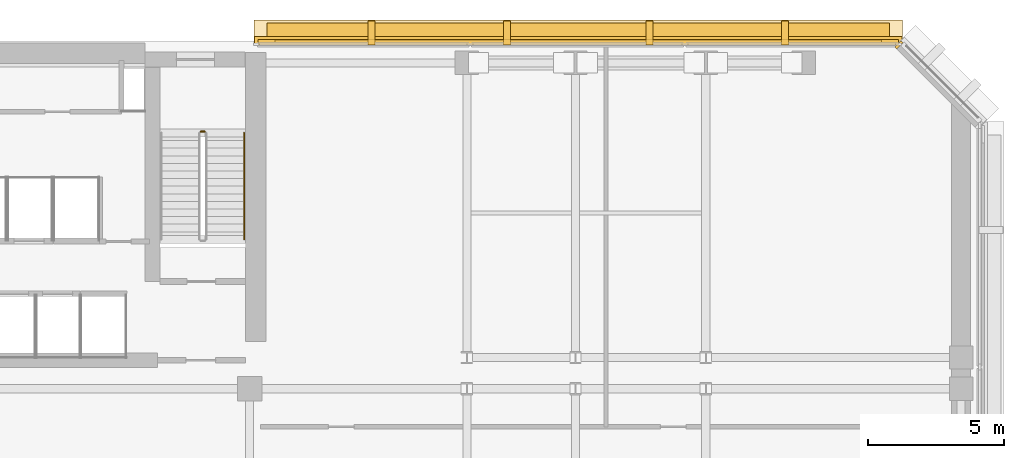
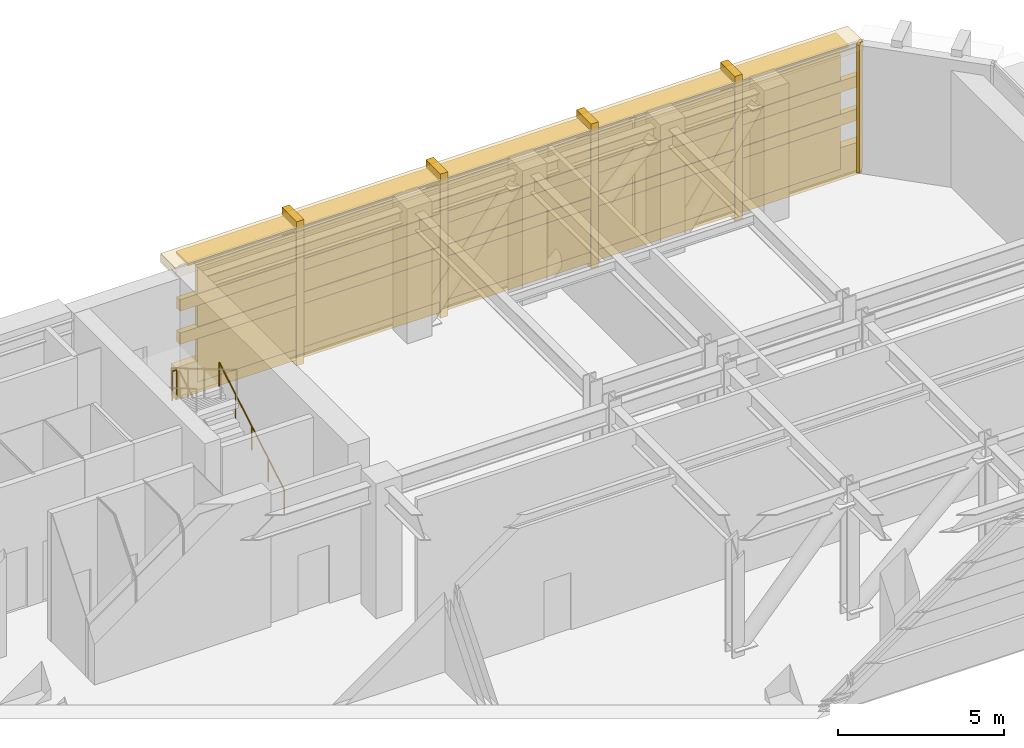
# One storey, part 11 of 12: 9 coverings, 2 railings, 2 shading devices.
"""IFC4 building model written with IfcOpenShell, lengths in metres."""

import ifcopenshell
import ifcopenshell.guid

model = None  # the IFC model being written
_history = None  # IfcOwnerHistory: only IFC2X3 demands one
_inside = {}  # id of a spatial element -> (the spatial element, [elements in it])
_under = {}  # id of a project, library or spatial element -> (it, [spatial elements below it])
_declared = {}  # id of a project -> (the project, [libraries it declares])
_typed = {}  # id of a type object -> (the type object, [elements of that type])
_made_of = {}  # id of a material, layer set ... -> (it, [elements and type objects made of it])


def new_model(schema):
    """Start an empty IFC model of exactly this schema.

    Asked for "IFC4X3", IfcOpenShell would pick the latest addendum, in which some entities
    have other attributes; the version numbers below select the first issue.
    IFC2X3 requires an IfcOwnerHistory on every rooted entity: one is made here for all.
    """
    global model, _history
    if schema == "IFC4X3":
        model = ifcopenshell.file(schema_version=(4, 3, 0, 0))
    else:
        model = ifcopenshell.file(schema=schema)
    _inside.clear()
    _under.clear()
    _declared.clear()
    _typed.clear()
    _made_of.clear()
    _history = None
    if model.schema == "IFC2X3":
        org = make("IfcOrganization", Name="unknown")
        user = make(
            "IfcPersonAndOrganization",
            ThePerson=make("IfcPerson", FamilyName="unknown"),
            TheOrganization=org,
        )
        app = make(
            "IfcApplication",
            ApplicationDeveloper=org,
            Version="unknown",
            ApplicationFullName="unknown",
            ApplicationIdentifier="unknown",
        )
        _history = make(
            "IfcOwnerHistory",
            OwningUser=user,
            OwningApplication=app,
            ChangeAction="ADDED",
            CreationDate=0,
        )
    return model


def make(cls, **values):
    """One entity of the class cls with the attributes given. An attribute that is None is left unset."""
    return model.create_entity(
        cls, **{name: value for name, value in values.items() if value is not None}
    )


def rooted(cls, **values):
    """An entity with a GlobalId (a new one), such as an element, a storey or a relation."""
    return make(cls, GlobalId=ifcopenshell.guid.new(), OwnerHistory=_history, **values)


def si_unit(unit_type, name, prefix=None):
    """IfcSIUnit, for example si_unit("LENGTHUNIT", "METRE", prefix="MILLI")."""
    return make("IfcSIUnit", UnitType=unit_type, Prefix=prefix, Name=name)


def assignment(units):
    """IfcUnitAssignment: the units of a project."""
    return None if units is None else make("IfcUnitAssignment", Units=units)


def point(xyz):
    """IfcCartesianPoint."""
    return None if xyz is None else make("IfcCartesianPoint", Coordinates=xyz)


def direction(xyz):
    """IfcDirection."""
    return None if xyz is None else make("IfcDirection", DirectionRatios=xyz)


def frame(location, z_axis=None, x_axis=None):
    """IfcAxis2Placement3D, a coordinate frame: its origin and axes. An axis left out is left unset."""
    return make(
        "IfcAxis2Placement3D",
        Location=point(location),
        Axis=direction(z_axis),
        RefDirection=direction(x_axis),
    )


def frame_2d(location, x_axis=None):
    """IfcAxis2Placement2D, a coordinate frame in the plane: its origin and x axis."""
    return make(
        "IfcAxis2Placement2D", Location=point(location), RefDirection=direction(x_axis)
    )


def origin():
    """The frame at (0, 0, 0) with its axes left unset."""
    return frame((0.0, 0.0, 0.0))


def origin_2d():
    """The frame at (0, 0) in the plane with its x axis left unset."""
    return frame_2d((0.0, 0.0))


def place(relative_to, where):
    """IfcLocalPlacement: puts the frame where relative to a parent placement (None: the world)."""
    return make(
        "IfcLocalPlacement", PlacementRelTo=relative_to, RelativePlacement=where
    )


def context(
    kind, dimensions, precision=None, world=None, true_north=None, identifier=None
):
    """IfcGeometricRepresentationContext, for example the 3D "Model" context."""
    return make(
        "IfcGeometricRepresentationContext",
        ContextIdentifier=identifier,
        ContextType=kind,
        CoordinateSpaceDimension=dimensions,
        Precision=precision,
        WorldCoordinateSystem=world,
        TrueNorth=true_north,
    )


def subcontext(parent, identifier, kind, view, scale=None):
    """IfcGeometricRepresentationSubContext, for example "Body" below "Model"."""
    return make(
        "IfcGeometricRepresentationSubContext",
        ContextIdentifier=identifier,
        ContextType=kind,
        ParentContext=parent,
        TargetScale=scale,
        TargetView=view,
    )


def project(units=None, contexts=None):
    """IfcProject with its units and contexts."""
    return rooted(
        "IfcProject",
        Name="project",
        RepresentationContexts=contexts,
        UnitsInContext=assignment(units),
    )


def spatial(cls, under=None, at=None, **own):
    """A site, building, storey or space (cls), placed at a placement, below another one or the project."""
    s = rooted(cls, ObjectPlacement=at, **own)
    if under is not None:
        _under.setdefault(under.id(), (under, []))[1].append(s)
    return s


def profile(cls, at=None, kind="AREA", **sizes):
    """A parametric profile (cls). Its sizes go by their IFC names, for example OverallWidth=200.0."""
    return make(cls, ProfileType=kind, Position=at, **sizes)


def rectangle(**sizes):
    """IfcRectangleProfileDef."""
    return profile("IfcRectangleProfileDef", **sizes)


def circle(**sizes):
    """IfcCircleProfileDef."""
    return profile("IfcCircleProfileDef", **sizes)


def extrude(swept, where, along, depth):
    """IfcExtrudedAreaSolid: the profile swept, set in the frame where, extruded along a direction by depth."""
    return make(
        "IfcExtrudedAreaSolid",
        SweptArea=swept,
        Position=where,
        ExtrudedDirection=direction(along),
        Depth=depth,
    )


def shape(context_of_items, identifier, shape_type, items):
    """IfcShapeRepresentation: the items that make up one representation, for example the "Body"."""
    return make(
        "IfcShapeRepresentation",
        ContextOfItems=context_of_items,
        RepresentationIdentifier=identifier,
        RepresentationType=shape_type,
        Items=items,
    )


def material(Name=None, Category=None):
    """IfcMaterial."""
    return make("IfcMaterial", Name=Name, Category=Category)


def layer(
    of_material, thickness, ventilated=None, Name=None, Category=None, Priority=None
):
    """IfcMaterialLayer: one layer of a wall or slab, of a material (None: an air gap)."""
    return make(
        "IfcMaterialLayer",
        Material=of_material,
        LayerThickness=thickness,
        IsVentilated=ventilated,
        Name=Name,
        Category=Category,
        Priority=Priority,
    )


def layer_set(layers, Name=None):
    """IfcMaterialLayerSet."""
    return make("IfcMaterialLayerSet", MaterialLayers=layers, LayerSetName=Name)


def made_of(thing, what):
    """Note that an element or type object is made of a material, layer set ...; save() writes the relation."""
    if what is not None:
        _made_of.setdefault(what.id(), (what, []))[1].append(thing)
    return thing


def type_object(cls, material=None, **own):
    """A type object (cls), such as IfcWallType, which elements share."""
    return made_of(rooted(cls, **own), material)


def element(
    cls,
    number,
    at=None,
    inside=None,
    cuts=None,
    type_object=None,
    material=None,
    context=None,
    identifier="Body",
    shape_type=None,
    held_by="IfcProductDefinitionShape",
    body=None,
    shapes=None,
    **own,
):
    """One element of the class cls, such as IfcWall. Its Tag is "e" and its number.

    at: its placement. inside: the storey or other place that contains it. cuts: it is an
    opening in that element (IfcRelVoidsElement). A single representation is given by context,
    identifier, shape_type and body (its items); several are given by shapes. held_by: the class
    of the entity that holds the representations. save() writes the other relations.
    """
    e = rooted(cls, Tag="e%d" % number, ObjectPlacement=at, **own)
    if body is not None:
        shapes = [shape(context, identifier, shape_type, body)]
    if shapes is not None:
        e.Representation = make(held_by, Representations=shapes)
    if inside is not None:
        _inside.setdefault(inside.id(), (inside, []))[1].append(e)
    if cuts is not None:
        rooted(
            "IfcRelVoidsElement", RelatingBuildingElement=cuts, RelatedOpeningElement=e
        )
    if type_object is not None:
        _typed.setdefault(type_object.id(), (type_object, []))[1].append(e)
    return made_of(e, material)


def aggregate(whole, parts):
    """IfcRelAggregates: a whole, such as a stair, and the parts it consists of."""
    return rooted("IfcRelAggregates", RelatingObject=whole, RelatedObjects=parts)


def save(model, path):
    """Write the relations noted so far, then the file.

    IfcRelAggregates (storeys below a building ...), IfcRelContainedInSpatialStructure (elements
    in a storey), IfcRelDefinesByType, IfcRelAssociatesMaterial and IfcRelDeclares: one each for
    every whole, place, type object, material and project.
    """
    for whole, parts in _under.values():
        aggregate(whole, parts)
    for where, things in _inside.values():
        rooted(
            "IfcRelContainedInSpatialStructure",
            RelatedElements=things,
            RelatingStructure=where,
        )
    for kind, things in _typed.values():
        rooted("IfcRelDefinesByType", RelatedObjects=things, RelatingType=kind)
    for what, things in _made_of.values():
        rooted("IfcRelAssociatesMaterial", RelatedObjects=things, RelatingMaterial=what)
    for by, libraries in _declared.values():
        rooted("IfcRelDeclares", RelatingContext=by, RelatedDefinitions=libraries)
    model.write(path)


model = new_model("IFC4")

# Units and contexts
model_context = context("Model", 3, precision=1e-05, world=origin(), true_north=direction((0.0, 1.0)))
body_context = subcontext(model_context, "Body", "Model", "MODEL_VIEW")
ifc_project = project(units=[si_unit("LENGTHUNIT", "METRE"), si_unit("AREAUNIT", "SQUARE_METRE"), si_unit("VOLUMEUNIT", "CUBIC_METRE"), si_unit("PLANEANGLEUNIT", "RADIAN"), si_unit("MASSUNIT", "GRAM", prefix="KILO")], contexts=[model_context])

# Site, building, storey
site_placement = place(None, origin())
site = spatial("IfcSite", under=ifc_project, at=site_placement, CompositionType="ELEMENT")
building_placement = place(site_placement, origin())
building = spatial("IfcBuilding", under=site, at=building_placement, Name="Kefirva Bronze Tower", CompositionType="ELEMENT")
storey_placement = place(building_placement, frame((0.0, 0.0, 174.570068359375)))
storey = spatial("IfcBuildingStorey", under=building, at=storey_placement, Name="L42", CompositionType="ELEMENT", Elevation=174.570068359375)

# Coverings
ifc_material_1 = material(Name="Bronze anodised aluminium", Category="aluminium")
ifc_layer_1 = layer(ifc_material_1, 0.02001953125, Name="Bronze anodised aluminium")
ifc_layer_set_1 = layer_set([ifc_layer_1], Name="Bronze anodised aluminium")
covering_type_1 = type_object("IfcCoveringType", Name="Anodised Bronze Spandrel Cladding 20mm", PredefinedType="CLADDING", material=ifc_layer_set_1)
covering_1_placement = place(storey_placement, frame((47.11181640625, 45.862060546875, 0.0), z_axis=(0.0, 0.0, 1.0), x_axis=(-0.707106781187, 0.707106781187, 0.0)))
element("IfcCovering", 1, at=covering_1_placement, inside=storey, type_object=covering_type_1, Name="L42 Facade Joint Closure Panel 4E", PredefinedType="CLADDING", context=body_context, shape_type="SweptSolid", body=[
    extrude(rectangle(XDim=0.10009765625, YDim=0.320068359375, at=origin_2d()), origin(), (0.0, 0.0, 1.0), 4.699951171875),
])
covering_2_placement = place(storey_placement, frame((35.302490234375, 46.0400390625, -0.16015625), z_axis=(0.0, 0.0, 1.0), x_axis=(-1.0, 0.0, 0.0)))
element("IfcCovering", 2, at=covering_2_placement, inside=storey, type_object=covering_type_1, Name="L42 Streamline Horizontal Spandrel Band 8", PredefinedType="CLADDING", context=body_context, shape_type="SweptSolid", body=[
    extrude(rectangle(XDim=23.8349609375, YDim=0.280029296875, at=origin_2d()), origin(), (0.0, 0.0, 1.0), 1.179931640625),
])
for number, where, z_axis, x_axis, name in (
    (3, (35.302490234375, 45.9599609375, 1.85791015625), (0.0, 0.0, 1.0), (-1.0, 0.0, 0.0), "L42 Recessed Zone-Break Bronze Louvre Band 8-1"),
    (4, (35.302490234375, 45.9599609375, 3.080078125), (0.0, 0.0, 1.0), (-1.0, 0.0, 0.0), "L42 Recessed Zone-Break Bronze Louvre Band 8-2"),
):
    element("IfcCovering", number, at=place(storey_placement, frame(where, z_axis=z_axis, x_axis=x_axis)), inside=storey, type_object=covering_type_1, Name=name, PredefinedType="CLADDING", context=body_context, shape_type="SweptSolid", body=[
        extrude(rectangle(XDim=23.594970703125, YDim=0.199951171875, at=origin_2d()), origin(), (0.0, 0.0, 1.0), 0.419921875),
    ])

# Shading device
ifc_layer_2 = layer(ifc_material_1, 0.090087890625, Name="Bronze anodised aluminium")
ifc_layer_set_2 = layer_set([ifc_layer_2], Name="Bronze anodised aluminium")
shading_device_type_1 = type_object("IfcShadingDeviceType", Name="Horizontal Bronze Sunshade Band 750mm", PredefinedType="JALOUSIE", material=ifc_layer_set_2)
shading_device_1_placement = place(storey_placement, frame((35.302490234375, 46.294921875, 4.5947265625), z_axis=(0.0, 0.0, 1.0), x_axis=(-1.0, 0.0, 0.0)))
element("IfcShadingDevice", 5, at=shading_device_1_placement, inside=storey, type_object=shading_device_type_1, Name="L42 Horizontal Bronze Sunshade Band 8", PredefinedType="JALOUSIE", context=body_context, shape_type="SweptSolid", body=[
    extrude(rectangle(XDim=22.93994140625, YDim=0.75, at=origin_2d()), origin(), (0.0, 0.0, 1.0), 0.090087890625),
])

# Railing
ifc_material_2 = material(Name="Stainless steel 316", Category="steel")
railing_type_1 = type_object("IfcRailingType", Name="Interior Stair Guardrail 1100mm", PredefinedType="GUARDRAIL", material=ifc_material_2)
railing_1_placement = place(storey_placement, frame((21.550048828125, 42.669921875, 2.474853515625)))
element("IfcRailing", 6, at=railing_1_placement, inside=storey, type_object=railing_type_1, Name="L42 ST-2 stair guard 2", PredefinedType="GUARDRAIL", context=body_context, shape_type="SweptSolid", body=[
    extrude(circle(Radius=0.02392578125, at=origin_2d()), frame((0.0, 0.0, 1.076171875), z_axis=(-1.0, 0.0, 0.0), x_axis=(0.0, -1.0, 0.0)), (0.0, 0.0, 1.0), 0.150146484375),
    extrude(circle(Radius=0.02099609375, at=origin_2d()), origin(), (0.0, 0.0, 1.0), 1.052001953125),
    extrude(circle(Radius=0.02099609375, at=origin_2d()), frame((-0.150146484375, 0.0, 0.0)), (0.0, 0.0, 1.0), 1.052001953125),
])

# Shading device
ifc_layer_3 = layer(ifc_material_1, 0.159912109375, Name="Bronze anodised aluminium")
ifc_layer_set_3 = layer_set([ifc_layer_3], Name="Bronze anodised aluminium")
shading_device_type_2 = type_object("IfcShadingDeviceType", Name="Recessed Zone-Break Acoustic Louvre Screen", PredefinedType="SHUTTER", material=ifc_layer_set_3)
shading_device_2_placement = place(storey_placement, frame((35.302490234375, 45.9599609375, 0.25), z_axis=(0.0, 0.0, 1.0), x_axis=(-1.0, 0.0, 0.0)))
element("IfcShadingDevice", 7, at=shading_device_2_placement, inside=storey, type_object=shading_device_type_2, Name="L42 Acoustic Plant Louvre Screen 8", PredefinedType="SHUTTER", context=body_context, shape_type="SweptSolid", body=[
    extrude(rectangle(XDim=22.340087890625, YDim=0.159912109375, at=origin_2d()), origin(), (0.0, 0.0, 1.0), 4.199951171875),
])

# Railing
railing_type_2 = type_object("IfcRailingType", Name="Stair Pitch Handrail 900mm", PredefinedType="HANDRAIL", material=ifc_material_2)
railing_2_placement = place(storey_placement, frame((23.0, 38.699951171875, 0.1650390625)))
element("IfcRailing", 8, at=railing_2_placement, inside=storey, type_object=railing_type_2, Name="L42 ST-2 stair handrail 1", PredefinedType="HANDRAIL", context=body_context, shape_type="SweptSolid", body=[
    extrude(circle(Radius=0.02392578125, at=origin_2d()), frame((0.0, 0.0, 0.8759765625), z_axis=(0.0, 0.861565701394, 0.507646079647), x_axis=(-1.0, 0.0, 0.0)), (0.0, 0.0, 1.0), 4.550048828125),
    extrude(circle(Radius=0.02099609375, at=origin_2d()), origin(), (0.0, 0.0, 1.0), 0.851806640625),
    extrude(circle(Radius=0.02099609375, at=origin_2d()), frame((0.0, 0.97998046875, 0.577392578125)), (0.0, 0.0, 1.0), 0.851806640625),
    extrude(circle(Radius=0.02099609375, at=origin_2d()), frame((0.0, 1.9599609375, 1.15478515625)), (0.0, 0.0, 1.0), 0.851806640625),
    extrude(circle(Radius=0.02099609375, at=origin_2d()), frame((0.0, 2.940185546875, 1.732421875)), (0.0, 0.0, 1.0), 0.851806640625),
    extrude(circle(Radius=0.02099609375, at=origin_2d()), frame((0.0, 3.920166015625, 2.309814453125)), (0.0, 0.0, 1.0), 0.851806640625),
])

# Coverings
ifc_layer_4 = layer(ifc_material_1, 0.179931640625, Name="Bronze anodised aluminium")
ifc_layer_set_4 = layer_set([ifc_layer_4], Name="Bronze anodised aluminium")
covering_type_2 = type_object("IfcCoveringType", Name="Streamline Bronze Sunshade Eyebrow Cladding 180mm", PredefinedType="CLADDING", material=ifc_layer_set_4)
covering_3_placement = place(storey_placement, frame((35.302490234375, 46.31005859375, 4.3798828125), z_axis=(0.0, 0.0, 1.0), x_axis=(-1.0, 0.0, 0.0)))
element("IfcCovering", 9, at=covering_3_placement, inside=storey, type_object=covering_type_2, Name="L42 Streamline Bronze Sunshade Eyebrow 8", PredefinedType="CLADDING", context=body_context, shape_type="SweptSolid", body=[
    extrude(rectangle(XDim=23.875, YDim=0.93994140625, at=origin_2d()), origin(), (0.0, 0.0, 1.0), 0.320068359375),
])
ifc_layer_5 = layer(ifc_material_1, 0.260009765625, Name="Bronze anodised aluminium")
ifc_layer_set_5 = layer_set([ifc_layer_5], Name="Bronze anodised aluminium")
covering_type_3 = type_object("IfcCoveringType", Name="Unbroken Bronze Buttress Fin Cladding 260mm", PredefinedType="CLADDING", material=ifc_layer_set_5)
for number, where, z_axis, x_axis, name in (
    (10, (42.9169921875, 46.300048828125, -0.35009765625), (0.0, 0.0, 1.0), (-1.0, 0.0, 0.0), "L42 Unbroken Vertical Bronze Rib Fin 17"),
    (11, (37.919921875, 46.300048828125, -0.35009765625), (0.0, 0.0, 1.0), (-1.0, 0.0, 0.0), "L42 Unbroken Vertical Bronze Rib Fin 18"),
    (12, (32.68505859375, 46.300048828125, -0.35009765625), (0.0, 0.0, 1.0), (-1.0, 0.0, 0.0), "L42 Unbroken Vertical Bronze Rib Fin 19"),
    (13, (27.68798828125, 46.300048828125, -0.35009765625), (0.0, 0.0, 1.0), (-1.0, 0.0, 0.0), "L42 Unbroken Vertical Bronze Rib Fin 20"),
):
    element("IfcCovering", number, at=place(storey_placement, frame(where, z_axis=z_axis, x_axis=x_axis)), inside=storey, type_object=covering_type_3, Name=name, PredefinedType="CLADDING", context=body_context, shape_type="SweptSolid", body=[
        extrude(rectangle(XDim=0.260009765625, YDim=0.8798828125, at=origin_2d()), origin(), (0.0, 0.0, 1.0), 5.300048828125),
    ])

save(model, "model.ifc")
